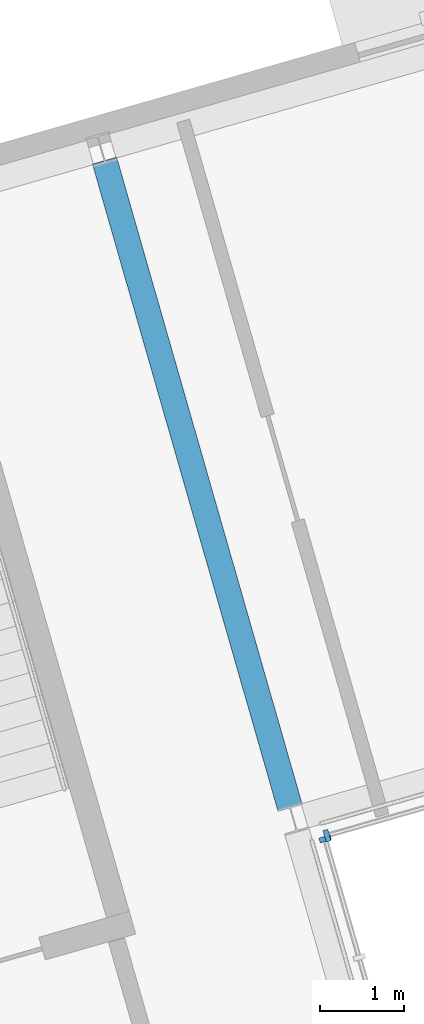
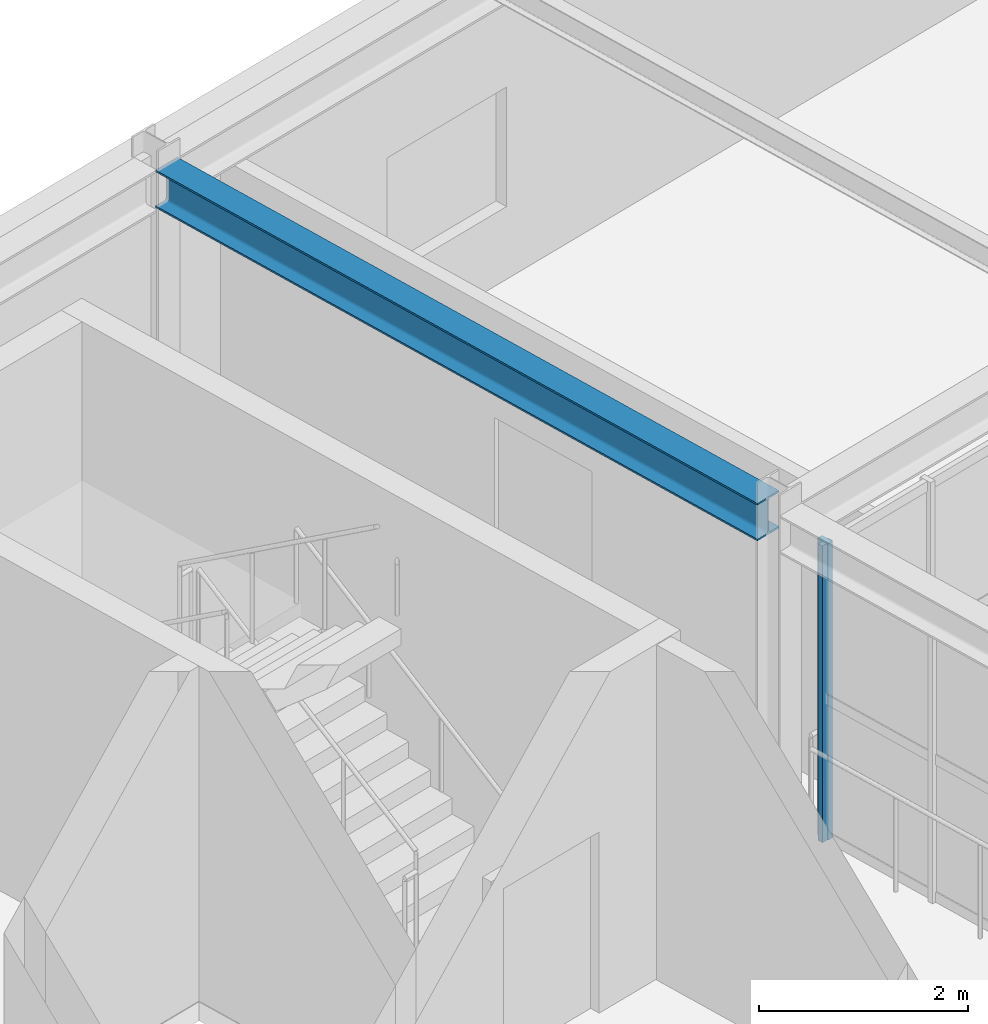
# One storey, part 18 of 59: 2 members, 1 beam, 2 elements without a shape of their own.
"""IFC4 building model written with IfcOpenShell, lengths in metres."""

import ifcopenshell
import ifcopenshell.guid

model = None  # the IFC model being written
_history = None  # IfcOwnerHistory: only IFC2X3 demands one
_inside = {}  # id of a spatial element -> (the spatial element, [elements in it])
_under = {}  # id of a project, library or spatial element -> (it, [spatial elements below it])
_declared = {}  # id of a project -> (the project, [libraries it declares])
_typed = {}  # id of a type object -> (the type object, [elements of that type])
_made_of = {}  # id of a material, layer set ... -> (it, [elements and type objects made of it])


def new_model(schema):
    """Start an empty IFC model of exactly this schema.

    Asked for "IFC4X3", IfcOpenShell would pick the latest addendum, in which some entities
    have other attributes; the version numbers below select the first issue.
    IFC2X3 requires an IfcOwnerHistory on every rooted entity: one is made here for all.
    """
    global model, _history
    if schema == "IFC4X3":
        model = ifcopenshell.file(schema_version=(4, 3, 0, 0))
    else:
        model = ifcopenshell.file(schema=schema)
    _inside.clear()
    _under.clear()
    _declared.clear()
    _typed.clear()
    _made_of.clear()
    _history = None
    if model.schema == "IFC2X3":
        org = make("IfcOrganization", Name="unknown")
        user = make(
            "IfcPersonAndOrganization",
            ThePerson=make("IfcPerson", FamilyName="unknown"),
            TheOrganization=org,
        )
        app = make(
            "IfcApplication",
            ApplicationDeveloper=org,
            Version="unknown",
            ApplicationFullName="unknown",
            ApplicationIdentifier="unknown",
        )
        _history = make(
            "IfcOwnerHistory",
            OwningUser=user,
            OwningApplication=app,
            ChangeAction="ADDED",
            CreationDate=0,
        )
    return model


def make(cls, **values):
    """One entity of the class cls with the attributes given. An attribute that is None is left unset."""
    return model.create_entity(
        cls, **{name: value for name, value in values.items() if value is not None}
    )


def rooted(cls, **values):
    """An entity with a GlobalId (a new one), such as an element, a storey or a relation."""
    return make(cls, GlobalId=ifcopenshell.guid.new(), OwnerHistory=_history, **values)


def si_unit(unit_type, name, prefix=None):
    """IfcSIUnit, for example si_unit("LENGTHUNIT", "METRE", prefix="MILLI")."""
    return make("IfcSIUnit", UnitType=unit_type, Prefix=prefix, Name=name)


def assignment(units):
    """IfcUnitAssignment: the units of a project."""
    return None if units is None else make("IfcUnitAssignment", Units=units)


def point(xyz):
    """IfcCartesianPoint."""
    return None if xyz is None else make("IfcCartesianPoint", Coordinates=xyz)


def direction(xyz):
    """IfcDirection."""
    return None if xyz is None else make("IfcDirection", DirectionRatios=xyz)


def frame(location, z_axis=None, x_axis=None):
    """IfcAxis2Placement3D, a coordinate frame: its origin and axes. An axis left out is left unset."""
    return make(
        "IfcAxis2Placement3D",
        Location=point(location),
        Axis=direction(z_axis),
        RefDirection=direction(x_axis),
    )


def frame_2d(location, x_axis=None):
    """IfcAxis2Placement2D, a coordinate frame in the plane: its origin and x axis."""
    return make(
        "IfcAxis2Placement2D", Location=point(location), RefDirection=direction(x_axis)
    )


def origin():
    """The frame at (0, 0, 0) with its axes left unset."""
    return frame((0.0, 0.0, 0.0))


def origin_2d():
    """The frame at (0, 0) in the plane with its x axis left unset."""
    return frame_2d((0.0, 0.0))


def place(relative_to, where):
    """IfcLocalPlacement: puts the frame where relative to a parent placement (None: the world)."""
    return make(
        "IfcLocalPlacement", PlacementRelTo=relative_to, RelativePlacement=where
    )


def context(
    kind, dimensions, precision=None, world=None, true_north=None, identifier=None
):
    """IfcGeometricRepresentationContext, for example the 3D "Model" context."""
    return make(
        "IfcGeometricRepresentationContext",
        ContextIdentifier=identifier,
        ContextType=kind,
        CoordinateSpaceDimension=dimensions,
        Precision=precision,
        WorldCoordinateSystem=world,
        TrueNorth=true_north,
    )


def subcontext(parent, identifier, kind, view, scale=None):
    """IfcGeometricRepresentationSubContext, for example "Body" below "Model"."""
    return make(
        "IfcGeometricRepresentationSubContext",
        ContextIdentifier=identifier,
        ContextType=kind,
        ParentContext=parent,
        TargetScale=scale,
        TargetView=view,
    )


def project(units=None, contexts=None):
    """IfcProject with its units and contexts."""
    return rooted(
        "IfcProject",
        Name="project",
        RepresentationContexts=contexts,
        UnitsInContext=assignment(units),
    )


def spatial(cls, under=None, at=None, **own):
    """A site, building, storey or space (cls), placed at a placement, below another one or the project."""
    s = rooted(cls, ObjectPlacement=at, **own)
    if under is not None:
        _under.setdefault(under.id(), (under, []))[1].append(s)
    return s


def profile(cls, at=None, kind="AREA", **sizes):
    """A parametric profile (cls). Its sizes go by their IFC names, for example OverallWidth=200.0."""
    return make(cls, ProfileType=kind, Position=at, **sizes)


def rectangle(**sizes):
    """IfcRectangleProfileDef."""
    return profile("IfcRectangleProfileDef", **sizes)


def i_section(**sizes):
    """IfcIShapeProfileDef."""
    return profile("IfcIShapeProfileDef", **sizes)


def extrude(swept, where, along, depth):
    """IfcExtrudedAreaSolid: the profile swept, set in the frame where, extruded along a direction by depth."""
    return make(
        "IfcExtrudedAreaSolid",
        SweptArea=swept,
        Position=where,
        ExtrudedDirection=direction(along),
        Depth=depth,
    )


def shape(context_of_items, identifier, shape_type, items):
    """IfcShapeRepresentation: the items that make up one representation, for example the "Body"."""
    return make(
        "IfcShapeRepresentation",
        ContextOfItems=context_of_items,
        RepresentationIdentifier=identifier,
        RepresentationType=shape_type,
        Items=items,
    )


def material(Name=None, Category=None):
    """IfcMaterial."""
    return make("IfcMaterial", Name=Name, Category=Category)


def material_profile(
    of_material, cross_section, Name=None, Category=None, Priority=None
):
    """IfcMaterialProfile: a cross section and its material."""
    return make(
        "IfcMaterialProfile",
        Name=Name,
        Material=of_material,
        Profile=cross_section,
        Priority=Priority,
        Category=Category,
    )


def profile_set(profiles, Name=None, composite=None):
    """IfcMaterialProfileSet."""
    return make(
        "IfcMaterialProfileSet",
        Name=Name,
        MaterialProfiles=profiles,
        CompositeProfile=composite,
    )


def made_of(thing, what):
    """Note that an element or type object is made of a material, layer set ...; save() writes the relation."""
    if what is not None:
        _made_of.setdefault(what.id(), (what, []))[1].append(thing)
    return thing


def type_object(cls, material=None, **own):
    """A type object (cls), such as IfcWallType, which elements share."""
    return made_of(rooted(cls, **own), material)


def element(
    cls,
    number,
    at=None,
    inside=None,
    cuts=None,
    type_object=None,
    material=None,
    context=None,
    identifier="Body",
    shape_type=None,
    held_by="IfcProductDefinitionShape",
    body=None,
    shapes=None,
    **own,
):
    """One element of the class cls, such as IfcWall. Its Tag is "e" and its number.

    at: its placement. inside: the storey or other place that contains it. cuts: it is an
    opening in that element (IfcRelVoidsElement). A single representation is given by context,
    identifier, shape_type and body (its items); several are given by shapes. held_by: the class
    of the entity that holds the representations. save() writes the other relations.
    """
    e = rooted(cls, Tag="e%d" % number, ObjectPlacement=at, **own)
    if body is not None:
        shapes = [shape(context, identifier, shape_type, body)]
    if shapes is not None:
        e.Representation = make(held_by, Representations=shapes)
    if inside is not None:
        _inside.setdefault(inside.id(), (inside, []))[1].append(e)
    if cuts is not None:
        rooted(
            "IfcRelVoidsElement", RelatingBuildingElement=cuts, RelatedOpeningElement=e
        )
    if type_object is not None:
        _typed.setdefault(type_object.id(), (type_object, []))[1].append(e)
    return made_of(e, material)


def aggregate(whole, parts):
    """IfcRelAggregates: a whole, such as a stair, and the parts it consists of."""
    return rooted("IfcRelAggregates", RelatingObject=whole, RelatedObjects=parts)


def save(model, path):
    """Write the relations noted so far, then the file.

    IfcRelAggregates (storeys below a building ...), IfcRelContainedInSpatialStructure (elements
    in a storey), IfcRelDefinesByType, IfcRelAssociatesMaterial and IfcRelDeclares: one each for
    every whole, place, type object, material and project.
    """
    for whole, parts in _under.values():
        aggregate(whole, parts)
    for where, things in _inside.values():
        rooted(
            "IfcRelContainedInSpatialStructure",
            RelatedElements=things,
            RelatingStructure=where,
        )
    for kind, things in _typed.values():
        rooted("IfcRelDefinesByType", RelatedObjects=things, RelatingType=kind)
    for what, things in _made_of.values():
        rooted("IfcRelAssociatesMaterial", RelatedObjects=things, RelatingMaterial=what)
    for by, libraries in _declared.values():
        rooted("IfcRelDeclares", RelatingContext=by, RelatedDefinitions=libraries)
    model.write(path)


model = new_model("IFC4")

# Units and contexts
model_context = context("Model", 3, precision=1e-05, world=origin(), true_north=direction((0.0, 1.0)))
body_context = subcontext(model_context, "Body", "Model", "MODEL_VIEW")
ifc_project = project(units=[si_unit("LENGTHUNIT", "METRE"), si_unit("AREAUNIT", "SQUARE_METRE"), si_unit("VOLUMEUNIT", "CUBIC_METRE"), si_unit("PLANEANGLEUNIT", "RADIAN"), si_unit("MASSUNIT", "GRAM", prefix="KILO")], contexts=[model_context])

# Site, building, storey
site_placement = place(None, origin())
site = spatial("IfcSite", under=ifc_project, at=site_placement, CompositionType="ELEMENT")
building_placement = place(site_placement, origin())
building = spatial("IfcBuilding", under=site, at=building_placement, Name="Varnklinge Art Gallery", CompositionType="ELEMENT")
storey_placement = place(building_placement, frame((0.0, 0.0, 9.52001953125)))
storey = spatial("IfcBuildingStorey", under=building, at=storey_placement, Name="L02", CompositionType="ELEMENT", Elevation=9.52001953125)

# Beam
ifc_material_1 = material(Name="Steel S355", Category="steel")
ifc_material_profile_1 = material_profile(ifc_material_1, i_section(OverallWidth=0.300048828125, OverallDepth=0.43994140625, WebThickness=0.011474609375, FlangeThickness=0.02099609375, FilletRadius=0.027099609375, at=origin_2d()), Name="HEA 450")
ifc_profile_set_1 = profile_set([ifc_material_profile_1], Name="Steel S355")
beam_type = type_object("IfcBeamType", Name="BM-08", PredefinedType="BEAM", material=ifc_profile_set_1)
beam_placement = place(storey_placement, frame((131.101806640625, 30.374267578125, 3.699951171875), z_axis=(-0.275649759333, 0.961258139201, 0.0), x_axis=(-0.961258139201, -0.275649759333, 0.0)))
element("IfcBeam", 1, at=beam_placement, inside=storey, type_object=beam_type, Name="L02 BM-08 BM-V6-L03-V1-2", PredefinedType="BEAM", context=body_context, shape_type="SweptSolid", body=[
    extrude(i_section(OverallWidth=0.300048828125, OverallDepth=0.43994140625, WebThickness=0.011474609375, FlangeThickness=0.02099609375, FilletRadius=0.027099609375, at=origin_2d()), origin(), (0.0, 0.0, 1.0), 8.02001953125),
])

# Curtain wall, member
ifc_material_2 = material(Name="Anodised Aluminium", Category="aluminium")
curtain_wall_type = type_object("IfcCurtainWallType", Name="CW-C03", PredefinedType="USERDEFINED", material=ifc_material_2)
curtain_wall_1_placement = place(storey_placement, origin())
curtain_wall_1 = element("IfcCurtainWall", 2, at=curtain_wall_1_placement, inside=storey, type_object=curtain_wall_type, Name="L02 Curtain Wall CW-V6C-L02-3", ObjectType="UNITISED CURTAIN WALL", PredefinedType="USERDEFINED")
ifc_material_3 = material(Name="Anodised Aluminium", Category="aluminium")
ifc_material_profile_2 = material_profile(ifc_material_3, rectangle(XDim=0.06005859375, YDim=0.139892578125, at=origin_2d()), Name="ALU 60x140")
ifc_profile_set_2 = profile_set([ifc_material_profile_2], Name="Anodised Aluminium")
member_type = type_object("IfcMemberType", Name="MUL-03", PredefinedType="MULLION", material=ifc_profile_set_2)
member_1_placement = place(storey_placement, frame((131.540283203125, 30.042236328125, 0.0), z_axis=(0.0, 0.0, 1.0), x_axis=(0.961261695938, 0.275637355817, 0.0)))
member_1 = element("IfcMember", 3, at=member_1_placement, type_object=member_type, Name="CW-V6C-L02-3 Mullion 1", PredefinedType="MULLION", context=body_context, shape_type="SweptSolid", body=[
    extrude(rectangle(XDim=0.06005859375, YDim=0.139892578125, at=origin_2d()), origin(), (0.0, 0.0, 1.0), 3.469970703125),
])
aggregate(curtain_wall_1, [member_1])

curtain_wall_2_placement = place(storey_placement, origin())
curtain_wall_2 = element("IfcCurtainWall", 4, at=curtain_wall_2_placement, inside=storey, type_object=curtain_wall_type, Name="L02 Curtain Wall CW-V6C-L02-4", ObjectType="UNITISED CURTAIN WALL", PredefinedType="USERDEFINED")
member_2_placement = place(storey_placement, frame((131.519775390625, 30.005126953125, 0.0), z_axis=(0.0, 0.0, 1.0), x_axis=(-0.275637355817, 0.961261695938, 0.0)))
member_2 = element("IfcMember", 5, at=member_2_placement, type_object=member_type, Name="CW-V6C-L02-4 Mullion 7", PredefinedType="MULLION", context=body_context, shape_type="SweptSolid", body=[
    extrude(rectangle(XDim=0.06005859375, YDim=0.139892578125, at=origin_2d()), origin(), (0.0, 0.0, 1.0), 3.469970703125),
])
aggregate(curtain_wall_2, [member_2])

save(model, "model.ifc")
